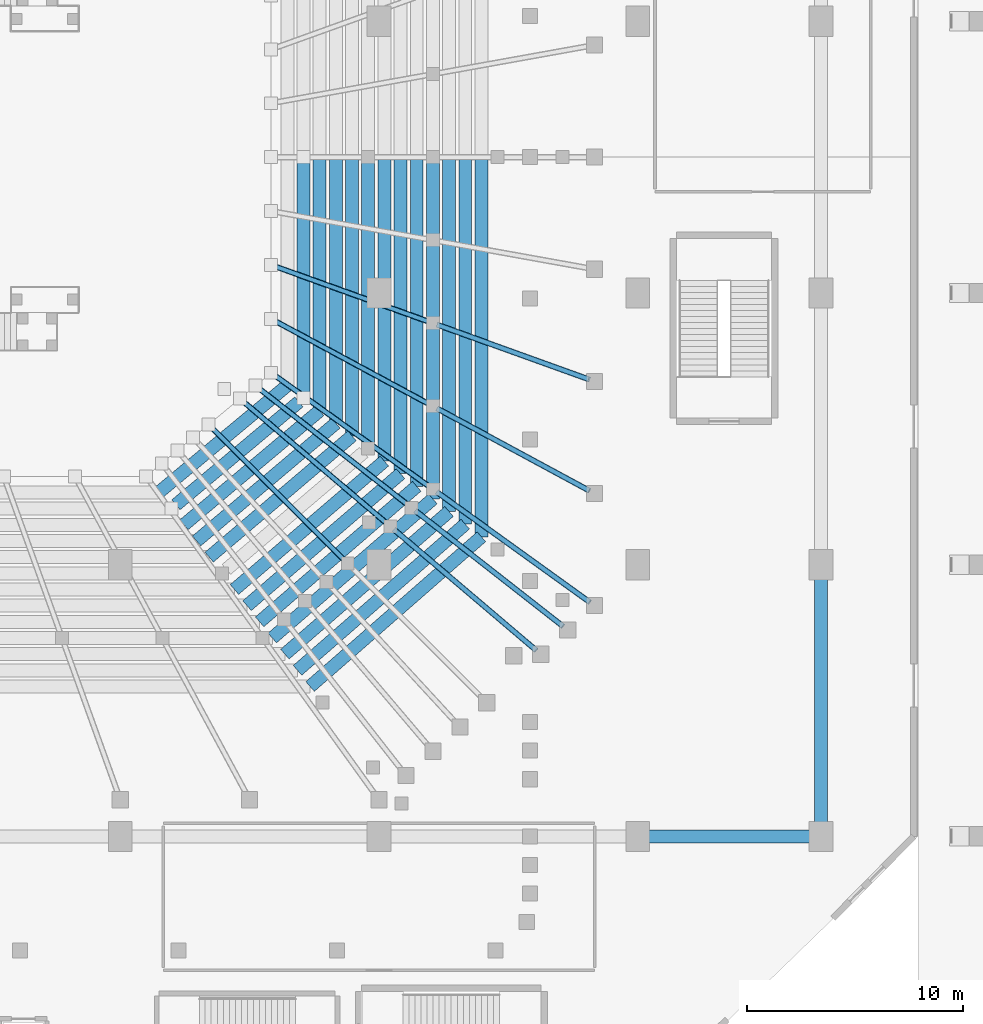
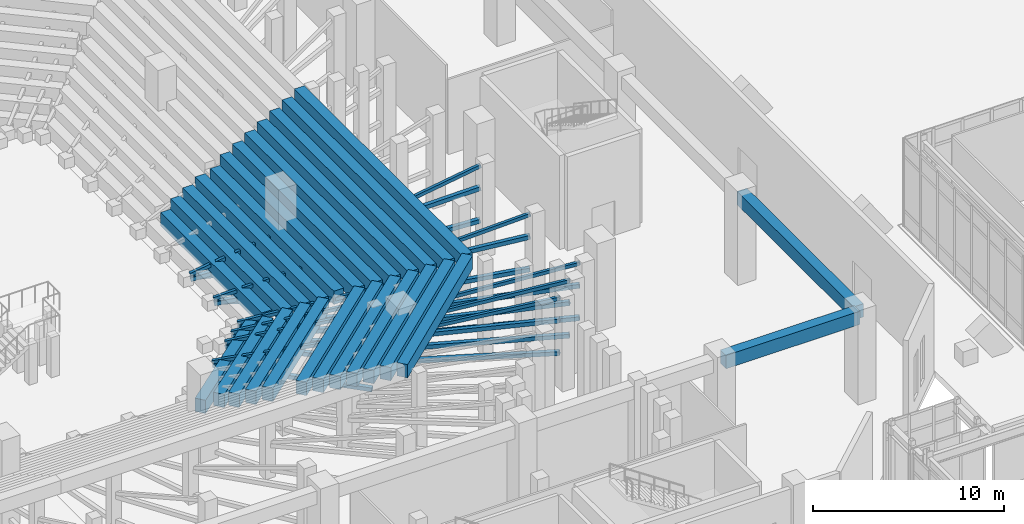
# One storey, part 37 of 143: 32 members, 26 beams.
"""IFC4 building model written with IfcOpenShell, lengths in metres."""

from ifc_helpers import new_model, si_unit, derived_unit, direction, frame, origin, origin_2d, place, context, subcontext, project, spatial, rectangle, hollow_rectangle, extrude, material, material_profile, profile_set, type_object, element, save


model = new_model("IFC4")

# Units and contexts
model_context = context("Model", 3, precision=1e-05, world=origin(), true_north=direction((0.0, 1.0)))
body_context = subcontext(model_context, "Body", "Model", "MODEL_VIEW")
ifc_project = project(units=[si_unit("LENGTHUNIT", "METRE"), si_unit("AREAUNIT", "SQUARE_METRE"), si_unit("VOLUMEUNIT", "CUBIC_METRE"), si_unit("PLANEANGLEUNIT", "RADIAN"), si_unit("MASSUNIT", "GRAM", prefix="KILO"), derived_unit("THERMALTRANSMITTANCEUNIT", [(si_unit("MASSUNIT", "GRAM", prefix="KILO"), 1), (si_unit("TIMEUNIT", "SECOND"), -3), (si_unit("THERMODYNAMICTEMPERATUREUNIT", "KELVIN"), -1)])], contexts=[model_context])

# Site, building, storey
site_placement = place(None, origin())
site = spatial("IfcSite", under=ifc_project, at=site_placement, CompositionType="ELEMENT")
building_placement = place(site_placement, origin())
building = spatial("IfcBuilding", under=site, at=building_placement, Name="Valcora Ridge Arena", CompositionType="ELEMENT")
storey_placement = place(building_placement, origin())
storey = spatial("IfcBuildingStorey", under=building, at=storey_placement, Name="L00", CompositionType="ELEMENT", Elevation=0.0)

# Beams
ifc_material_1 = material(Name="Concrete C40/50", Category="concrete")
ifc_material_profile_1 = material_profile(ifc_material_1, rectangle(XDim=0.60009765625, YDim=0.85009765625, at=origin_2d()), Name="RC 600x850")
ifc_profile_set_1 = profile_set([ifc_material_profile_1], Name="Concrete C40/50")
beam_type_1 = type_object("IfcBeamType", Name="TY-BEAM-B-RC600-X", PredefinedType="BEAM", material=ifc_profile_set_1)
beam_1_placement = place(storey_placement, frame((71.784912109375, 48.550048828125, 0.4150390625), z_axis=(0.768605337433, 0.639723248968, 0.0), x_axis=(-0.639723248968, 0.768605337433, 0.0)))
element("IfcBeam", 1, at=beam_1_placement, inside=storey, type_object=beam_type_1, Name="B-RC600-X BEM-R2-B-RC600-X-0003", PredefinedType="BEAM", context=body_context, shape_type="SweptSolid", body=[
    extrude(rectangle(XDim=0.60009765625, YDim=0.85009765625, at=origin_2d()), origin(), (0.0, 0.0, 1.0), 7.760986328125),
])
beam_2_placement = place(storey_placement, frame((72.584716796875, 47.979736328125, 0.85498046875), z_axis=(0.76690051629, 0.6417659995, 0.0), x_axis=(-0.6417659995, 0.76690051629, 0.0)))
element("IfcBeam", 2, at=beam_2_placement, inside=storey, type_object=beam_type_1, Name="B-RC600-X BEM-R2-B-RC600-X-0015", PredefinedType="BEAM", context=body_context, shape_type="SweptSolid", body=[
    extrude(rectangle(XDim=0.60009765625, YDim=0.85009765625, at=origin_2d()), origin(), (0.0, 0.0, 1.0), 7.433349609375),
])
beam_3_placement = place(storey_placement, frame((78.5, 53.2099609375, 0.85498046875), z_axis=(0.0, 1.0, 0.0), x_axis=(-1.0, 0.0, 0.0)))
element("IfcBeam", 3, at=beam_3_placement, inside=storey, type_object=beam_type_1, Name="B-RC600-X BEM-R2-B-RC600-X-0016", PredefinedType="BEAM", context=body_context, shape_type="SweptSolid", body=[
    extrude(rectangle(XDim=0.60009765625, YDim=0.85009765625, at=origin_2d()), origin(), (0.0, 0.0, 1.0), 10.610107421875),
])
beam_4_placement = place(storey_placement, frame((72.955078125, 47.050048828125, 1.294921875), z_axis=(0.765274358305, 0.643704246157, 0.0), x_axis=(-0.643704246157, 0.765274358305, 0.0)))
element("IfcBeam", 4, at=beam_4_placement, inside=storey, type_object=beam_type_1, Name="B-RC600-X BEM-R2-B-RC600-X-0027", PredefinedType="BEAM", context=body_context, shape_type="SweptSolid", body=[
    extrude(rectangle(XDim=0.60009765625, YDim=0.85009765625, at=origin_2d()), origin(), (0.0, 0.0, 1.0), 8.2255859375),
])
beam_5_placement = place(storey_placement, frame((79.25, 52.344970703125, 1.294921875), z_axis=(0.0, 1.0, 0.0), x_axis=(-1.0, 0.0, 0.0)))
element("IfcBeam", 5, at=beam_5_placement, inside=storey, type_object=beam_type_1, Name="B-RC600-X BEM-R2-B-RC600-X-0028", PredefinedType="BEAM", context=body_context, shape_type="SweptSolid", body=[
    extrude(rectangle(XDim=0.60009765625, YDim=0.85009765625, at=origin_2d()), origin(), (0.0, 0.0, 1.0), 11.755126953125),
])
beam_6_placement = place(storey_placement, frame((73.5400390625, 46.300048828125, 1.735107421875), z_axis=(0.763745277173, 0.64551773918, 0.0), x_axis=(-0.64551773918, 0.763745277173, 0.0)))
element("IfcBeam", 6, at=beam_6_placement, inside=storey, type_object=beam_type_1, Name="B-RC600-X BEM-R2-B-RC600-X-0039", PredefinedType="BEAM", context=body_context, shape_type="SweptSolid", body=[
    extrude(rectangle(XDim=0.60009765625, YDim=0.85009765625, at=origin_2d()), origin(), (0.0, 0.0, 1.0), 8.458251953125),
])
beam_7_placement = place(storey_placement, frame((80.0, 51.760009765625, 1.735107421875), z_axis=(0.0, 1.0, 0.0), x_axis=(-1.0, 0.0, 0.0)))
element("IfcBeam", 7, at=beam_7_placement, inside=storey, type_object=beam_type_1, Name="B-RC600-X BEM-R2-B-RC600-X-0040", PredefinedType="BEAM", context=body_context, shape_type="SweptSolid", body=[
    extrude(rectangle(XDim=0.60009765625, YDim=0.85009765625, at=origin_2d()), origin(), (0.0, 0.0, 1.0), 12.340087890625),
])
beam_8_placement = place(storey_placement, frame((74.125, 45.550048828125, 2.175048828125), z_axis=(0.762294079169, 0.647230821936, 0.0), x_axis=(-0.647230821936, 0.762294079169, 0.0)))
element("IfcBeam", 8, at=beam_8_placement, inside=storey, type_object=beam_type_1, Name="B-RC600-X BEM-R2-B-RC600-X-0051", PredefinedType="BEAM", context=body_context, shape_type="SweptSolid", body=[
    extrude(rectangle(XDim=0.60009765625, YDim=0.85009765625, at=origin_2d()), origin(), (0.0, 0.0, 1.0), 8.69091796875),
])
beam_9_placement = place(storey_placement, frame((80.75, 51.175048828125, 2.175048828125), z_axis=(0.0, 1.0, 0.0), x_axis=(-1.0, 0.0, 0.0)))
element("IfcBeam", 9, at=beam_9_placement, inside=storey, type_object=beam_type_1, Name="B-RC600-X BEM-R2-B-RC600-X-0052", PredefinedType="BEAM", context=body_context, shape_type="SweptSolid", body=[
    extrude(rectangle(XDim=0.60009765625, YDim=0.85009765625, at=origin_2d()), origin(), (0.0, 0.0, 1.0), 12.925048828125),
])
beam_10_placement = place(storey_placement, frame((81.5, 50.8701171875, 2.614990234375), z_axis=(0.0, 1.0, 0.0), x_axis=(-1.0, 0.0, 0.0)))
element("IfcBeam", 10, at=beam_10_placement, inside=storey, type_object=beam_type_1, Name="B-RC600-X BEM-R2-B-RC600-X-0064", PredefinedType="BEAM", context=body_context, shape_type="SweptSolid", body=[
    extrude(rectangle(XDim=0.60009765625, YDim=0.85009765625, at=origin_2d()), origin(), (0.0, 0.0, 1.0), 12.949951171875),
])
beam_11_placement = place(storey_placement, frame((75.294921875, 44.050048828125, 3.054931640625), z_axis=(0.759615985638, 0.650371858526, 0.0), x_axis=(-0.650371858526, 0.759615985638, 0.0)))
element("IfcBeam", 11, at=beam_11_placement, inside=storey, type_object=beam_type_1, Name="B-RC600-X BEM-R2-B-RC600-X-0075", PredefinedType="BEAM", context=body_context, shape_type="SweptSolid", body=[
    extrude(rectangle(XDim=0.60009765625, YDim=0.85009765625, at=origin_2d()), origin(), (0.0, 0.0, 1.0), 9.156005859375),
])
beam_12_placement = place(storey_placement, frame((82.25, 50.0048828125, 3.054931640625), z_axis=(0.0, 1.0, 0.0), x_axis=(-1.0, 0.0, 0.0)))
element("IfcBeam", 12, at=beam_12_placement, inside=storey, type_object=beam_type_1, Name="B-RC600-X BEM-R2-B-RC600-X-0076", PredefinedType="BEAM", context=body_context, shape_type="SweptSolid", body=[
    extrude(rectangle(XDim=0.60009765625, YDim=0.85009765625, at=origin_2d()), origin(), (0.0, 0.0, 1.0), 14.09521484375),
])
beam_13_placement = place(storey_placement, frame((75.8798828125, 43.300048828125, 3.4951171875), z_axis=(0.758365655014, 0.651829374373, 0.0), x_axis=(-0.651829374373, 0.758365655014, 0.0)))
element("IfcBeam", 13, at=beam_13_placement, inside=storey, type_object=beam_type_1, Name="B-RC600-X BEM-R2-B-RC600-X-0087", PredefinedType="BEAM", context=body_context, shape_type="SweptSolid", body=[
    extrude(rectangle(XDim=0.60009765625, YDim=0.85009765625, at=origin_2d()), origin(), (0.0, 0.0, 1.0), 9.388671875),
])
beam_14_placement = place(storey_placement, frame((83.0, 49.419921875, 3.4951171875), z_axis=(0.0, 1.0, 0.0), x_axis=(-1.0, 0.0, 0.0)))
element("IfcBeam", 14, at=beam_14_placement, inside=storey, type_object=beam_type_1, Name="B-RC600-X BEM-R2-B-RC600-X-0088", PredefinedType="BEAM", context=body_context, shape_type="SweptSolid", body=[
    extrude(rectangle(XDim=0.60009765625, YDim=0.85009765625, at=origin_2d()), origin(), (0.0, 0.0, 1.0), 14.68017578125),
])
beam_15_placement = place(storey_placement, frame((76.465087890625, 42.550048828125, 3.93505859375), z_axis=(0.757162389152, 0.653226696067, 0.0), x_axis=(-0.653226696067, 0.757162389152, 0.0)))
element("IfcBeam", 15, at=beam_15_placement, inside=storey, type_object=beam_type_1, Name="B-RC600-X BEM-R2-B-RC600-X-0099", PredefinedType="BEAM", context=body_context, shape_type="SweptSolid", body=[
    extrude(rectangle(XDim=0.60009765625, YDim=0.85009765625, at=origin_2d()), origin(), (0.0, 0.0, 1.0), 9.621337890625),
])
beam_16_placement = place(storey_placement, frame((83.75, 48.8349609375, 3.93505859375), z_axis=(0.0, 1.0, 0.0), x_axis=(-1.0, 0.0, 0.0)))
element("IfcBeam", 16, at=beam_16_placement, inside=storey, type_object=beam_type_1, Name="B-RC600-X BEM-R2-B-RC600-X-0100", PredefinedType="BEAM", context=body_context, shape_type="SweptSolid", body=[
    extrude(rectangle(XDim=0.60009765625, YDim=0.85009765625, at=origin_2d()), origin(), (0.0, 0.0, 1.0), 15.26513671875),
])
beam_17_placement = place(storey_placement, frame((77.050048828125, 41.800048828125, 4.375), z_axis=(0.756024144683, 0.654543728605, 0.0), x_axis=(-0.654543728605, 0.756024144683, 0.0)))
element("IfcBeam", 17, at=beam_17_placement, inside=storey, type_object=beam_type_1, Name="B-RC600-X BEM-R2-B-RC600-X-0111", PredefinedType="BEAM", context=body_context, shape_type="SweptSolid", body=[
    extrude(rectangle(XDim=0.60009765625, YDim=0.85009765625, at=origin_2d()), origin(), (0.0, 0.0, 1.0), 9.85400390625),
])
beam_18_placement = place(storey_placement, frame((84.5, 48.25, 4.375), z_axis=(0.0, 1.0, 0.0), x_axis=(-1.0, 0.0, 0.0)))
element("IfcBeam", 18, at=beam_18_placement, inside=storey, type_object=beam_type_1, Name="B-RC600-X BEM-R2-B-RC600-X-0112", PredefinedType="BEAM", context=body_context, shape_type="SweptSolid", body=[
    extrude(rectangle(XDim=0.60009765625, YDim=0.85009765625, at=origin_2d()), origin(), (0.0, 0.0, 1.0), 15.85009765625),
])
beam_19_placement = place(storey_placement, frame((77.635009765625, 41.050048828125, 4.81494140625), z_axis=(0.754936305086, 0.655798120814, 0.0), x_axis=(-0.655798120814, 0.754936305086, 0.0)))
element("IfcBeam", 19, at=beam_19_placement, inside=storey, type_object=beam_type_1, Name="B-RC600-X BEM-R2-B-RC600-X-0123", PredefinedType="BEAM", context=body_context, shape_type="SweptSolid", body=[
    extrude(rectangle(XDim=0.60009765625, YDim=0.85009765625, at=origin_2d()), origin(), (0.0, 0.0, 1.0), 10.0869140625),
])
beam_20_placement = place(storey_placement, frame((85.25, 47.6650390625, 4.81494140625), z_axis=(0.0, 1.0, 0.0), x_axis=(-1.0, 0.0, 0.0)))
element("IfcBeam", 20, at=beam_20_placement, inside=storey, type_object=beam_type_1, Name="B-RC600-X BEM-R2-B-RC600-X-0124", PredefinedType="BEAM", context=body_context, shape_type="SweptSolid", body=[
    extrude(rectangle(XDim=0.60009765625, YDim=0.85009765625, at=origin_2d()), origin(), (0.0, 0.0, 1.0), 16.43505859375),
])
beam_21_placement = place(storey_placement, frame((78.219970703125, 40.300048828125, 5.2548828125), z_axis=(0.753895608805, 0.656994224499, 0.0), x_axis=(-0.656994224499, 0.753895608805, 0.0)))
element("IfcBeam", 21, at=beam_21_placement, inside=storey, type_object=beam_type_1, Name="B-RC600-X BEM-R2-B-RC600-X-0135", PredefinedType="BEAM", context=body_context, shape_type="SweptSolid", body=[
    extrude(rectangle(XDim=0.60009765625, YDim=0.85009765625, at=origin_2d()), origin(), (0.0, 0.0, 1.0), 10.31982421875),
])
beam_22_placement = place(storey_placement, frame((86.0, 47.080078125, 5.2548828125), z_axis=(0.0, 1.0, 0.0), x_axis=(-1.0, 0.0, 0.0)))
element("IfcBeam", 22, at=beam_22_placement, inside=storey, type_object=beam_type_1, Name="B-RC600-X BEM-R2-B-RC600-X-0136", PredefinedType="BEAM", context=body_context, shape_type="SweptSolid", body=[
    extrude(rectangle(XDim=0.60009765625, YDim=0.85009765625, at=origin_2d()), origin(), (0.0, 0.0, 1.0), 17.02001953125),
])
beam_23_placement = place(storey_placement, frame((78.804931640625, 39.550048828125, 5.695068359375), z_axis=(0.752899068512, 0.658135998585, 0.0), x_axis=(-0.658135998585, 0.752899068512, 0.0)))
element("IfcBeam", 23, at=beam_23_placement, inside=storey, type_object=beam_type_1, Name="B-RC600-X BEM-R2-B-RC600-X-0147", PredefinedType="BEAM", context=body_context, shape_type="SweptSolid", body=[
    extrude(rectangle(XDim=0.60009765625, YDim=0.85009765625, at=origin_2d()), origin(), (0.0, 0.0, 1.0), 10.552734375),
])
beam_24_placement = place(storey_placement, frame((86.75, 46.4951171875, 5.695068359375), z_axis=(0.0, 1.0, 0.0), x_axis=(-1.0, 0.0, 0.0)))
element("IfcBeam", 24, at=beam_24_placement, inside=storey, type_object=beam_type_1, Name="B-RC600-X BEM-R2-B-RC600-X-0148", PredefinedType="BEAM", context=body_context, shape_type="SweptSolid", body=[
    extrude(rectangle(XDim=0.60009765625, YDim=0.85009765625, at=origin_2d()), origin(), (0.0, 0.0, 1.0), 17.60498046875),
])
ifc_material_profile_2 = material_profile(ifc_material_1, rectangle(XDim=0.60009765625, YDim=0.85009765625, at=origin_2d()), Name="RC 600x850")
ifc_profile_set_2 = profile_set([ifc_material_profile_2], Name="Concrete C40/50")
beam_type_2 = type_object("IfcBeamType", Name="TY-BEAM-B-RC600-Y", PredefinedType="BEAM", material=ifc_profile_set_2)
beam_25_placement = place(storey_placement, frame((102.5, 32.800048828125, 5.215087890625), z_axis=(0.0, 1.0, 0.0), x_axis=(-1.0, 0.0, 0.0)))
element("IfcBeam", 25, at=beam_25_placement, inside=storey, type_object=beam_type_2, Name="B-RC600-Y BEM-B-RC600-Y-0006", PredefinedType="BEAM", context=body_context, shape_type="SweptSolid", body=[
    extrude(rectangle(XDim=0.60009765625, YDim=0.85009765625, at=origin_2d()), origin(), (0.0, 0.0, 1.0), 12.199951171875),
])
ifc_material_profile_3 = material_profile(ifc_material_1, rectangle(XDim=0.60009765625, YDim=0.85009765625, at=origin_2d()), Name="RC 600x850")
ifc_profile_set_3 = profile_set([ifc_material_profile_3], Name="Concrete C40/50")
beam_type_3 = type_object("IfcBeamType", Name="TY-BEAM-EB-RC600", PredefinedType="BEAM", material=ifc_profile_set_3)
beam_26_placement = place(storey_placement, frame((94.199951171875, 32.60009765625, 5.215087890625), z_axis=(1.0, 0.0, 0.0), x_axis=(0.0, 1.0, 0.0)))
element("IfcBeam", 26, at=beam_26_placement, inside=storey, type_object=beam_type_3, Name="EB-RC600 BEM-EB-RC600-0008", PredefinedType="BEAM", context=body_context, shape_type="SweptSolid", body=[
    extrude(rectangle(XDim=0.60009765625, YDim=0.85009765625, at=origin_2d()), origin(), (0.0, 0.0, 1.0), 8.10009765625),
])

# Members
ifc_material_2 = material(Name="Steel ASTM A500 Grade C", Category="steel")
ifc_material_profile_4 = material_profile(ifc_material_2, hollow_rectangle(XDim=0.25, YDim=0.25, WallThickness=0.012451171875, at=origin_2d()), Name="HSS250X250X12")
ifc_profile_set_4 = profile_set([ifc_material_profile_4], Name="Steel ASTM A500 Grade C")
member_type_1 = type_object("IfcMemberType", Name="TY-MEMBER-RKRC-251", PredefinedType="CHORD", material=ifc_profile_set_4)
member_1_placement = place(storey_placement, frame((75.729736328125, 52.747314453125, 0.295166015625), z_axis=(0.748579173913, -0.635893103484, 0.187800908745), x_axis=(0.647412437908, 0.76213983969, 0.0)))
element("IfcMember", 27, at=member_1_placement, inside=storey, type_object=member_type_1, Name="RKRC-251 MBR-RK-RKRC-251-0014", PredefinedType="CHORD", context=body_context, shape_type="SweptSolid", body=[
    extrude(hollow_rectangle(XDim=0.25, YDim=0.25, WallThickness=0.012451171875, at=origin_2d()), origin(), (0.0, 0.0, 1.0), 8.83740234375),
])
member_2_placement = place(storey_placement, frame((76.460693359375, 53.354736328125, 0.294921875), z_axis=(0.77369753626, -0.605307455921, 0.18706952235), x_axis=(0.616185171788, 0.787601316701, 0.0)))
element("IfcMember", 28, at=member_2_placement, inside=storey, type_object=member_type_1, Name="RKRC-251 MBR-RK-RKRC-251-0015", PredefinedType="CHORD", context=body_context, shape_type="SweptSolid", body=[
    extrude(hollow_rectangle(XDim=0.25, YDim=0.25, WallThickness=0.012451171875, at=origin_2d()), origin(), (0.0, 0.0, 1.0), 8.87451171875),
])
member_3_placement = place(storey_placement, frame((77.19140625, 53.962158203125, 0.294677734375), z_axis=(0.797370949409, -0.574095048612, 0.18604957457), x_axis=(0.584296658889, 0.811540149599, 0.0)))
element("IfcMember", 29, at=member_3_placement, inside=storey, type_object=member_type_1, Name="RKRC-251 MBR-RK-RKRC-251-0016", PredefinedType="CHORD", context=body_context, shape_type="SweptSolid", body=[
    extrude(hollow_rectangle(XDim=0.25, YDim=0.25, WallThickness=0.012451171875, at=origin_2d()), origin(), (0.0, 0.0, 1.0), 8.92578125),
])
member_4_placement = place(storey_placement, frame((77.206787109375, 56.48828125, 0.29833984375), z_axis=(0.861930883615, -0.465441489347, 0.201095429747), x_axis=(0.475147975918, 0.879905904618, 0.0)))
element("IfcMember", 30, at=member_4_placement, inside=storey, type_object=member_type_1, Name="RKRC-251 MBR-RK-RKRC-251-0017", PredefinedType="CHORD", context=body_context, shape_type="SweptSolid", body=[
    extrude(hollow_rectangle(XDim=0.25, YDim=0.25, WallThickness=0.012451171875, at=origin_2d()), origin(), (0.0, 0.0, 1.0), 8.2216796875),
])
member_5_placement = place(storey_placement, frame((77.220703125, 59.0205078125, 0.301513671875), z_axis=(0.919004957011, -0.330831612914, 0.214430251798), x_axis=(0.338710249203, 0.940890730683, 0.0)))
element("IfcMember", 31, at=member_5_placement, inside=storey, type_object=member_type_1, Name="RKRC-251 MBR-RK-RKRC-251-0018", PredefinedType="CHORD", context=body_context, shape_type="SweptSolid", body=[
    extrude(hollow_rectangle(XDim=0.25, YDim=0.25, WallThickness=0.012451171875, at=origin_2d()), origin(), (0.0, 0.0, 1.0), 7.6806640625),
])
ifc_material_profile_5 = material_profile(ifc_material_2, hollow_rectangle(XDim=0.25, YDim=0.25, WallThickness=0.012451171875, at=origin_2d()), Name="HSS250X250X12")
ifc_profile_set_5 = profile_set([ifc_material_profile_5], Name="Steel ASTM A500 Grade C")
member_type_2 = type_object("IfcMemberType", Name="TY-MEMBER-RKRC-252", PredefinedType="CHORD", material=ifc_profile_set_5)
member_6_placement = place(storey_placement, frame((82.702392578125, 46.82421875, 2.05859375), z_axis=(0.739162342875, -0.627884115001, 0.243722319464), x_axis=(0.647406626108, 0.762144776582, 0.0)))
element("IfcMember", 32, at=member_6_placement, inside=storey, type_object=member_type_2, Name="RKRC-252 MBR-RK-RKRC-252-0014", PredefinedType="CHORD", context=body_context, shape_type="SweptSolid", body=[
    extrude(hollow_rectangle(XDim=0.25, YDim=0.25, WallThickness=0.012451171875, at=origin_2d()), origin(), (0.0, 0.0, 1.0), 8.916259765625),
])
member_7_placement = place(storey_placement, frame((83.69580078125, 47.694091796875, 2.058349609375), z_axis=(0.764025690394, -0.597765977555, 0.242776812106), x_axis=(0.616201384896, 0.787588631998, 0.0)))
element("IfcMember", 33, at=member_7_placement, inside=storey, type_object=member_type_2, Name="RKRC-252 MBR-RK-RKRC-252-0015", PredefinedType="CHORD", context=body_context, shape_type="SweptSolid", body=[
    extrude(hollow_rectangle(XDim=0.25, YDim=0.25, WallThickness=0.012451171875, at=origin_2d()), origin(), (0.0, 0.0, 1.0), 8.953125),
])
member_8_placement = place(storey_placement, frame((84.68896484375, 48.56396484375, 2.05810546875), z_axis=(0.787514994452, -0.567011880625, 0.241490498247), x_axis=(0.584305461948, 0.811533811457, 0.0)))
element("IfcMember", 34, at=member_8_placement, inside=storey, type_object=member_type_2, Name="RKRC-252 MBR-RK-RKRC-252-0016", PredefinedType="CHORD", context=body_context, shape_type="SweptSolid", body=[
    extrude(hollow_rectangle(XDim=0.25, YDim=0.25, WallThickness=0.012451171875, at=origin_2d()), origin(), (0.0, 0.0, 1.0), 9.003662109375),
])
member_9_placement = place(storey_placement, frame((84.703857421875, 52.43994140625, 2.0625), z_axis=(0.8495205311, -0.458742849833, 0.260518454178), x_axis=(0.475150328559, 0.87990463419, 0.0)))
element("IfcMember", 35, at=member_9_placement, inside=storey, type_object=member_type_2, Name="RKRC-252 MBR-RK-RKRC-252-0017", PredefinedType="CHORD", context=body_context, shape_type="SweptSolid", body=[
    extrude(hollow_rectangle(XDim=0.25, YDim=0.25, WallThickness=0.012451171875, at=origin_2d()), origin(), (0.0, 0.0, 1.0), 8.30859375),
])
member_10_placement = place(storey_placement, frame((84.717041015625, 56.322021484375, 2.06640625), z_axis=(0.903990893844, -0.325473140115, 0.277250246007), x_axis=(0.338753023532, 0.940875331299, 0.0)))
element("IfcMember", 36, at=member_10_placement, inside=storey, type_object=member_type_2, Name="RKRC-252 MBR-RK-RKRC-252-0018", PredefinedType="CHORD", context=body_context, shape_type="SweptSolid", body=[
    extrude(hollow_rectangle(XDim=0.25, YDim=0.25, WallThickness=0.012451171875, at=origin_2d()), origin(), (0.0, 0.0, 1.0), 7.7763671875),
])
ifc_material_profile_6 = material_profile(ifc_material_2, hollow_rectangle(XDim=0.25, YDim=0.25, WallThickness=0.012451171875, at=origin_2d()), Name="HSS250X250X12")
ifc_profile_set_6 = profile_set([ifc_material_profile_6], Name="Steel ASTM A500 Grade C")
member_type_3 = type_object("IfcMemberType", Name="TY-MEMBER-RKRC-254", PredefinedType="CHORD", material=ifc_profile_set_6)
member_11_placement = place(storey_placement, frame((74.269775390625, 51.5302734375, 0.39990234375), z_axis=(0.707106781187, -0.707106781187, 0.0), x_axis=(0.707106781187, 0.707106781187, 0.0)))
element("IfcMember", 37, at=member_11_placement, inside=storey, type_object=member_type_3, Name="RKRC-254 MBR-RK-RKRC-254-0013", PredefinedType="CHORD", context=body_context, shape_type="SweptSolid", body=[
    extrude(hollow_rectangle(XDim=0.25, YDim=0.25, WallThickness=0.012451171875, at=origin_2d()), origin(), (0.0, 0.0, 1.0), 8.6416015625),
])
member_12_placement = place(storey_placement, frame((75.73291015625, 52.74462890625, 0.39990234375), z_axis=(0.762138643155, -0.647413846477, 0.0), x_axis=(0.647413846477, 0.762138643155, 0.0)))
element("IfcMember", 38, at=member_12_placement, inside=storey, type_object=member_type_3, Name="RKRC-254 MBR-RK-RKRC-254-0014", PredefinedType="CHORD", context=body_context, shape_type="SweptSolid", body=[
    extrude(hollow_rectangle(XDim=0.25, YDim=0.25, WallThickness=0.012451171875, at=origin_2d()), origin(), (0.0, 0.0, 1.0), 8.671875),
])
member_13_placement = place(storey_placement, frame((76.464111328125, 53.35205078125, 0.39990234375), z_axis=(0.78758899131, -0.616200925647, 0.0), x_axis=(0.616200925647, 0.78758899131, 0.0)))
element("IfcMember", 39, at=member_13_placement, inside=storey, type_object=member_type_3, Name="RKRC-254 MBR-RK-RKRC-254-0015", PredefinedType="CHORD", context=body_context, shape_type="SweptSolid", body=[
    extrude(hollow_rectangle(XDim=0.25, YDim=0.25, WallThickness=0.012451171875, at=origin_2d()), origin(), (0.0, 0.0, 1.0), 8.709228515625),
])
member_14_placement = place(storey_placement, frame((77.19482421875, 53.959716796875, 0.39990234375), z_axis=(0.811524828079, -0.584317938635, 0.0), x_axis=(0.584317938635, 0.811524828079, 0.0)))
element("IfcMember", 40, at=member_14_placement, inside=storey, type_object=member_type_3, Name="RKRC-254 MBR-RK-RKRC-254-0016", PredefinedType="CHORD", context=body_context, shape_type="SweptSolid", body=[
    extrude(hollow_rectangle(XDim=0.25, YDim=0.25, WallThickness=0.012451171875, at=origin_2d()), origin(), (0.0, 0.0, 1.0), 8.76171875),
])
member_15_placement = place(storey_placement, frame((77.211181640625, 56.486083984375, 0.39990234375), z_axis=(0.879900321731, -0.475158314478, 0.0), x_axis=(0.475158314478, 0.879900321731, 0.0)))
element("IfcMember", 41, at=member_15_placement, inside=storey, type_object=member_type_3, Name="RKRC-254 MBR-RK-RKRC-254-0017", PredefinedType="CHORD", context=body_context, shape_type="SweptSolid", body=[
    extrude(hollow_rectangle(XDim=0.25, YDim=0.25, WallThickness=0.012451171875, at=origin_2d()), origin(), (0.0, 0.0, 1.0), 8.043701171875),
])
member_16_placement = place(storey_placement, frame((77.225830078125, 59.018798828125, 0.39990234375), z_axis=(0.940879102469, -0.33874254905, 0.0), x_axis=(0.33874254905, 0.940879102469, 0.0)))
element("IfcMember", 42, at=member_16_placement, inside=storey, type_object=member_type_3, Name="RKRC-254 MBR-RK-RKRC-254-0018", PredefinedType="CHORD", context=body_context, shape_type="SweptSolid", body=[
    extrude(hollow_rectangle(XDim=0.25, YDim=0.25, WallThickness=0.012451171875, at=origin_2d()), origin(), (0.0, 0.0, 1.0), 7.4912109375),
])
ifc_material_profile_7 = material_profile(ifc_material_2, hollow_rectangle(XDim=0.25, YDim=0.25, WallThickness=0.012451171875, at=origin_2d()), Name="HSS250X250X12")
ifc_profile_set_7 = profile_set([ifc_material_profile_7], Name="Steel ASTM A500 Grade C")
member_type_4 = type_object("IfcMemberType", Name="TY-MEMBER-RKRC-255", PredefinedType="CHORD", material=ifc_profile_set_7)
member_17_placement = place(storey_placement, frame((82.70458984375, 46.822509765625, 0.4951171875), z_axis=(0.748568418608, -0.635901587114, 0.187815053091), x_axis=(0.647422857925, 0.762130988109, 0.0)))
element("IfcMember", 43, at=member_17_placement, inside=storey, type_object=member_type_4, Name="RKRC-255 MBR-RK-RKRC-255-0014", PredefinedType="CHORD", context=body_context, shape_type="SweptSolid", body=[
    extrude(hollow_rectangle(XDim=0.25, YDim=0.25, WallThickness=0.012451171875, at=origin_2d()), origin(), (0.0, 0.0, 1.0), 8.797607421875),
])
member_18_placement = place(storey_placement, frame((83.6982421875, 47.692138671875, 0.494873046875), z_axis=(0.773690058732, -0.605311535038, 0.187087248549), x_axis=(0.616191441722, 0.787596411335, 0.0)))
element("IfcMember", 44, at=member_18_placement, inside=storey, type_object=member_type_4, Name="RKRC-255 MBR-RK-RKRC-255-0015", PredefinedType="CHORD", context=body_context, shape_type="SweptSolid", body=[
    extrude(hollow_rectangle(XDim=0.25, YDim=0.25, WallThickness=0.012451171875, at=origin_2d()), origin(), (0.0, 0.0, 1.0), 8.83447265625),
])
member_19_placement = place(storey_placement, frame((84.69140625, 48.562255859375, 0.49462890625), z_axis=(0.797352064802, -0.57411766466, 0.186060720955), x_axis=(0.584320932062, 0.81152267273, 0.0)))
element("IfcMember", 45, at=member_19_placement, inside=storey, type_object=member_type_4, Name="RKRC-255 MBR-RK-RKRC-255-0016", PredefinedType="CHORD", context=body_context, shape_type="SweptSolid", body=[
    extrude(hollow_rectangle(XDim=0.25, YDim=0.25, WallThickness=0.012451171875, at=origin_2d()), origin(), (0.0, 0.0, 1.0), 8.885986328125),
])
member_20_placement = place(storey_placement, frame((84.706787109375, 52.438232421875, 0.498291015625), z_axis=(0.861936544086, -0.465418877553, 0.201123500334), x_axis=(0.475127687835, 0.879916859852, 0.0)))
element("IfcMember", 46, at=member_20_placement, inside=storey, type_object=member_type_4, Name="RKRC-255 MBR-RK-RKRC-255-0017", PredefinedType="CHORD", context=body_context, shape_type="SweptSolid", body=[
    extrude(hollow_rectangle(XDim=0.25, YDim=0.25, WallThickness=0.012451171875, at=origin_2d()), origin(), (0.0, 0.0, 1.0), 8.181640625),
])
member_21_placement = place(storey_placement, frame((84.720703125, 56.320556640625, 0.50146484375), z_axis=(0.91899526261, -0.330860021706, 0.214427967713), x_axis=(0.338739160639, 0.940880322384, 0.0)))
element("IfcMember", 47, at=member_21_placement, inside=storey, type_object=member_type_4, Name="RKRC-255 MBR-RK-RKRC-255-0018", PredefinedType="CHORD", context=body_context, shape_type="SweptSolid", body=[
    extrude(hollow_rectangle(XDim=0.25, YDim=0.25, WallThickness=0.012451171875, at=origin_2d()), origin(), (0.0, 0.0, 1.0), 7.640869140625),
])
ifc_material_profile_8 = material_profile(ifc_material_2, hollow_rectangle(XDim=0.199951171875, YDim=0.199951171875, WallThickness=0.012451171875, at=origin_2d()), Name="HSS200X200X12")
ifc_profile_set_8 = profile_set([ifc_material_profile_8], Name="Steel ASTM A500 Grade C")
member_type_5 = type_object("IfcMemberType", Name="TY-MEMBER-RKRD-202", PredefinedType="BRACE", material=ifc_profile_set_8)
member_22_placement = place(storey_placement, frame((82.6953125, 46.830322265625, 2.23779296875), z_axis=(0.709248372862, -0.602464017526, 0.36606536736), x_axis=(0.64740065391, 0.762149849647, 0.0)))
element("IfcMember", 48, at=member_22_placement, inside=storey, type_object=member_type_5, Name="RKRD-202 Raker Diagonal Brace", PredefinedType="BRACE", context=body_context, shape_type="SweptSolid", body=[
    extrude(hollow_rectangle(XDim=0.199951171875, YDim=0.199951171875, WallThickness=0.012451171875, at=origin_2d()), origin(), (0.0, 0.0, 1.0), 9.314453125),
])
member_23_placement = place(storey_placement, frame((83.6884765625, 47.69970703125, 2.237548828125), z_axis=(0.733331916683, -0.573729143662, 0.364772764454), x_axis=(0.616186504834, 0.787600273781, 0.0)))
element("IfcMember", 49, at=member_23_placement, inside=storey, type_object=member_type_5, Name="RKRD-202 Raker Diagonal Brace", PredefinedType="BRACE", context=body_context, shape_type="SweptSolid", body=[
    extrude(hollow_rectangle(XDim=0.199951171875, YDim=0.199951171875, WallThickness=0.012451171875, at=origin_2d()), origin(), (0.0, 0.0, 1.0), 9.349365234375),
])
member_24_placement = place(storey_placement, frame((84.681396484375, 48.5693359375, 2.237060546875), z_axis=(0.756188968003, -0.544450861573, 0.362975900031), x_axis=(0.584301053778, 0.811536985327, 0.0)))
element("IfcMember", 50, at=member_24_placement, inside=storey, type_object=member_type_5, Name="RKRD-202 Raker Diagonal Brace", PredefinedType="BRACE", context=body_context, shape_type="SweptSolid", body=[
    extrude(hollow_rectangle(XDim=0.199951171875, YDim=0.199951171875, WallThickness=0.012451171875, at=origin_2d()), origin(), (0.0, 0.0, 1.0), 9.3984375),
])
member_25_placement = place(storey_placement, frame((84.694580078125, 52.44482421875, 2.243408203125), z_axis=(0.810573016604, -0.437703278307, 0.389085112685), x_axis=(0.475143745342, 0.87990818911, 0.0)))
element("IfcMember", 51, at=member_25_placement, inside=storey, type_object=member_type_5, Name="RKRD-202 Raker Diagonal Brace", PredefinedType="BRACE", context=body_context, shape_type="SweptSolid", body=[
    extrude(hollow_rectangle(XDim=0.199951171875, YDim=0.199951171875, WallThickness=0.012451171875, at=origin_2d()), origin(), (0.0, 0.0, 1.0), 8.732666015625),
])
member_26_placement = place(storey_placement, frame((84.705810546875, 56.325927734375, 2.248779296875), z_axis=(0.857492925697, -0.308702201603, 0.411593043071), x_axis=(0.338724080643, 0.940885751403, 0.0)))
element("IfcMember", 52, at=member_26_placement, inside=storey, type_object=member_type_5, Name="RKRD-202 Raker Diagonal Brace", PredefinedType="BRACE", context=body_context, shape_type="SweptSolid", body=[
    extrude(hollow_rectangle(XDim=0.199951171875, YDim=0.199951171875, WallThickness=0.012451171875, at=origin_2d()), origin(), (0.0, 0.0, 1.0), 8.2265625),
])
ifc_material_profile_9 = material_profile(ifc_material_2, hollow_rectangle(XDim=0.199951171875, YDim=0.199951171875, WallThickness=0.012451171875, at=origin_2d()), Name="HSS200X200X12")
ifc_profile_set_9 = profile_set([ifc_material_profile_9], Name="Steel ASTM A500 Grade C")
member_type_6 = type_object("IfcMemberType", Name="TY-MEMBER-RKRD-204", PredefinedType="BRACE", material=ifc_profile_set_9)
member_27_placement = place(storey_placement, frame((74.259033203125, 51.541015625, 0.583740234375), z_axis=(0.662575857182, -0.662575857182, 0.349265610904), x_axis=(0.707106781187, 0.707106781187, 0.0)))
element("IfcMember", 53, at=member_27_placement, inside=storey, type_object=member_type_6, Name="RKRD-204 Raker Diagonal Brace", PredefinedType="BRACE", context=body_context, shape_type="SweptSolid", body=[
    extrude(hollow_rectangle(XDim=0.199951171875, YDim=0.199951171875, WallThickness=0.012451171875, at=origin_2d()), origin(), (0.0, 0.0, 1.0), 9.2548828125),
])
member_28_placement = place(storey_placement, frame((75.721435546875, 52.75439453125, 0.58349609375), z_axis=(0.714425860235, -0.606887213355, 0.348257951085), x_axis=(0.647416288131, 0.762136569036, 0.0)))
element("IfcMember", 54, at=member_28_placement, inside=storey, type_object=member_type_6, Name="RKRD-204 Raker Diagonal Brace", PredefinedType="BRACE", context=body_context, shape_type="SweptSolid", body=[
    extrude(hollow_rectangle(XDim=0.199951171875, YDim=0.199951171875, WallThickness=0.012451171875, at=origin_2d()), origin(), (0.0, 0.0, 1.0), 9.283203125),
])
member_29_placement = place(storey_placement, frame((76.452392578125, 53.361328125, 0.583251953125), z_axis=(0.73865268814, -0.577910837908, 0.347003270492), x_axis=(0.616199030901, 0.787590473734, 0.0)))
element("IfcMember", 55, at=member_29_placement, inside=storey, type_object=member_type_6, Name="RKRD-204 Raker Diagonal Brace", PredefinedType="BRACE", context=body_context, shape_type="SweptSolid", body=[
    extrude(hollow_rectangle(XDim=0.199951171875, YDim=0.199951171875, WallThickness=0.012451171875, at=origin_2d()), origin(), (0.0, 0.0, 1.0), 9.318115234375),
])
member_30_placement = place(storey_placement, frame((77.182861328125, 53.968505859375, 0.5830078125), z_axis=(0.761616884855, -0.548394390331, 0.34525832844), x_axis=(0.584325941503, 0.811519065757, 0.0)))
element("IfcMember", 56, at=member_30_placement, inside=storey, type_object=member_type_6, Name="RKRD-204 Raker Diagonal Brace", PredefinedType="BRACE", context=body_context, shape_type="SweptSolid", body=[
    extrude(hollow_rectangle(XDim=0.199951171875, YDim=0.199951171875, WallThickness=0.012451171875, at=origin_2d()), origin(), (0.0, 0.0, 1.0), 9.3671875),
])
member_31_placement = place(storey_placement, frame((77.196044921875, 56.494140625, 0.5888671875), z_axis=(0.8172925914, -0.441322278952, 0.370496243089), x_axis=(0.475135810872, 0.879912473617, 0.0)))
element("IfcMember", 57, at=member_31_placement, inside=storey, type_object=member_type_6, Name="RKRD-204 Raker Diagonal Brace", PredefinedType="BRACE", context=body_context, shape_type="SweptSolid", body=[
    extrude(hollow_rectangle(XDim=0.199951171875, YDim=0.199951171875, WallThickness=0.012451171875, at=origin_2d()), origin(), (0.0, 0.0, 1.0), 8.69677734375),
])
member_32_placement = place(storey_placement, frame((77.207763671875, 59.025146484375, 0.59423828125), z_axis=(0.865450734927, -0.311547948758, 0.3923428361), x_axis=(0.338705690146, 0.94089237188, 0.0)))
element("IfcMember", 58, at=member_32_placement, inside=storey, type_object=member_type_6, Name="RKRD-204 Raker Diagonal Brace", PredefinedType="BRACE", context=body_context, shape_type="SweptSolid", body=[
    extrude(hollow_rectangle(XDim=0.199951171875, YDim=0.199951171875, WallThickness=0.012451171875, at=origin_2d()), origin(), (0.0, 0.0, 1.0), 8.185791015625),
])

save(model, "model.ifc")
